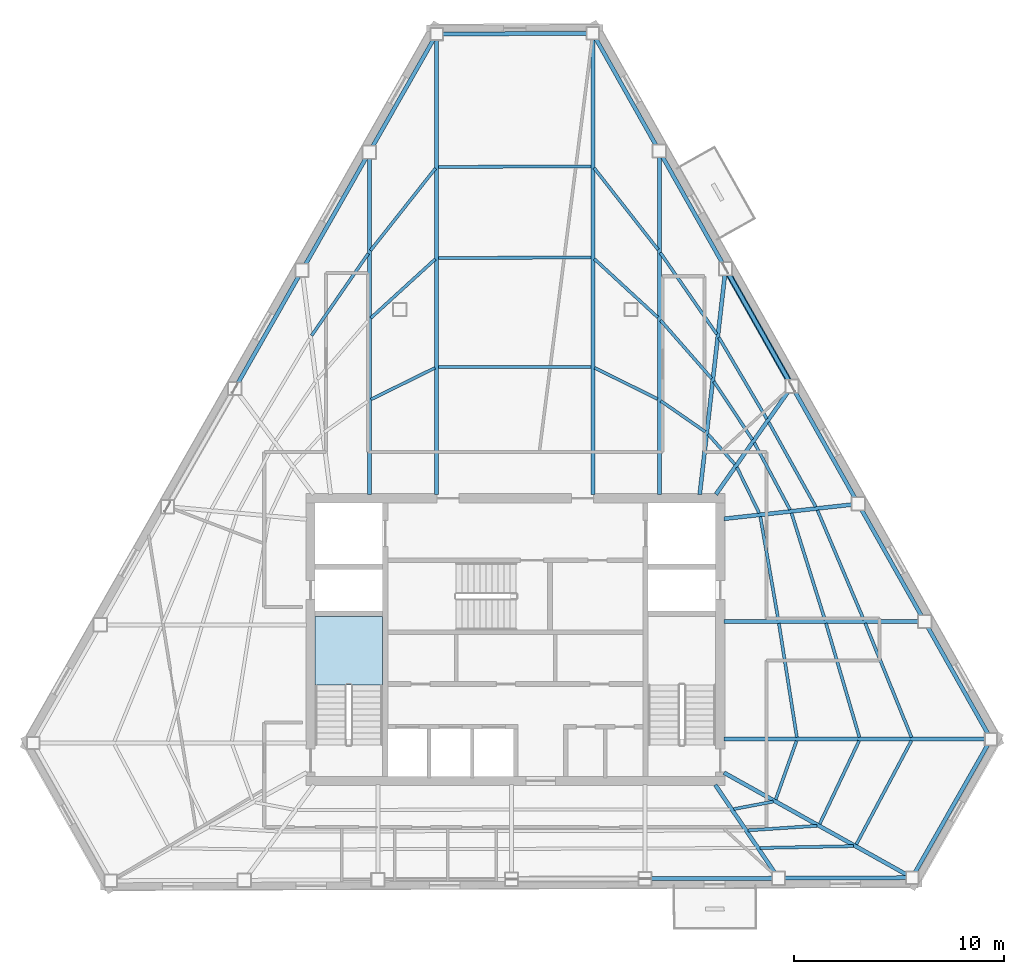
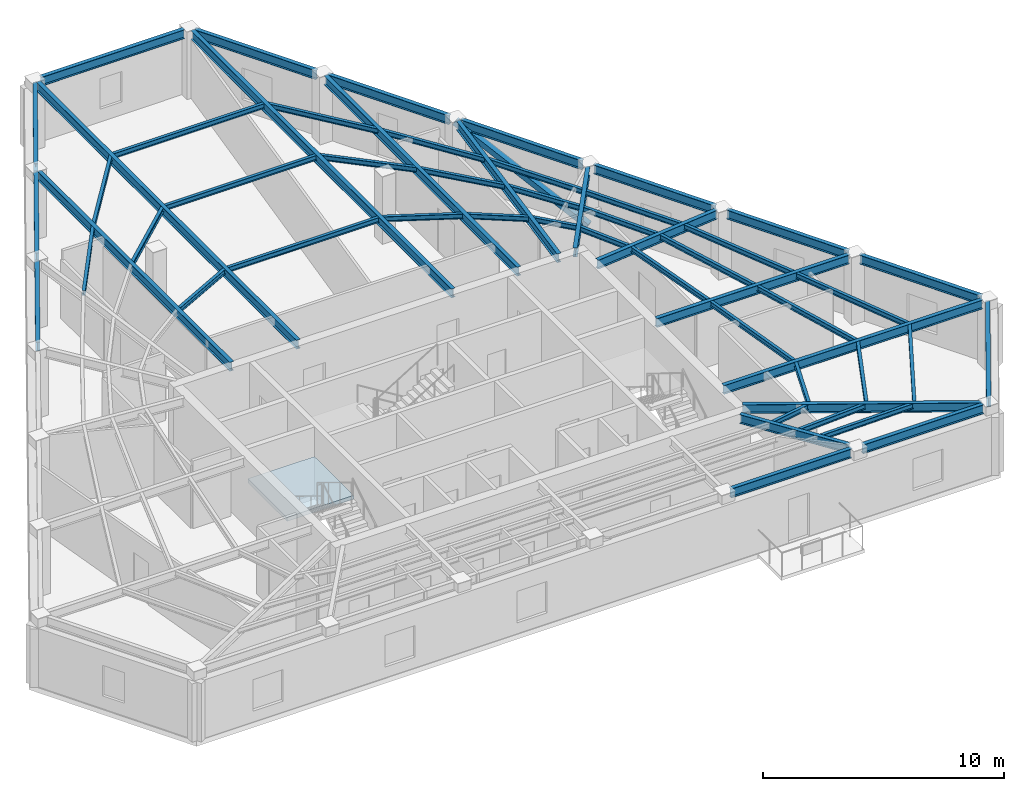
# One storey, part 2 of 10: 55 beams, 1 member, 1 slab, 1 element without a shape of its own.
"""IFC4 building model written with IfcOpenShell, lengths in metres."""

from ifc_helpers import new_model, si_unit, direction, frame, origin, origin_2d, place, context, subcontext, project, spatial, polyline, hollow_rectangle, i_section, outline, extrude, material, layer, layer_set, material_profile, profile_set, type_object, element, aggregate, save


model = new_model("IFC4")

# Units and contexts
model_context = context("Model", 3, precision=1e-05, world=origin(), true_north=direction((0.0, 1.0)))
body_context = subcontext(model_context, "Body", "Model", "MODEL_VIEW")
ifc_project = project(units=[si_unit("LENGTHUNIT", "METRE"), si_unit("AREAUNIT", "SQUARE_METRE"), si_unit("VOLUMEUNIT", "CUBIC_METRE"), si_unit("PLANEANGLEUNIT", "RADIAN"), si_unit("MASSUNIT", "GRAM", prefix="KILO")], contexts=[model_context])

# Site, building, storey
site_placement = place(None, origin())
site = spatial("IfcSite", under=ifc_project, at=site_placement, CompositionType="ELEMENT")
building_placement = place(site_placement, origin())
building = spatial("IfcBuilding", under=site, at=building_placement, Name="Kavelnor Concourse Tower", CompositionType="ELEMENT")
storey_placement = place(building_placement, frame((0.0, 0.0, 230.449951171875)))
storey = spatial("IfcBuildingStorey", under=building, at=storey_placement, Name="L58", CompositionType="ELEMENT", Elevation=230.449951171875)

# Beams
ifc_material_1 = material(Name="Steel Grade 350", Category="steel")
ifc_material_profile_1 = material_profile(ifc_material_1, i_section(OverallWidth=0.14599609375, OverallDepth=0.256103515625, WebThickness=0.00634765625, FlangeThickness=0.010986328125, at=origin_2d()), Name="250UB37")
ifc_profile_set_1 = profile_set([ifc_material_profile_1], Name="Steel Grade 350")
beam_type_1 = type_object("IfcBeamType", Name="BM-JOIST-250", PredefinedType="JOIST", material=ifc_profile_set_1)
beam_1_placement = place(storey_placement, frame((48.385986328125, 8.04150390625, 3.302001953125), z_axis=(0.982497790606, 0.186274237227, 0.0), x_axis=(-0.186274237227, 0.982497790606, 0.0)))
element("IfcBeam", 1, at=beam_1_placement, inside=storey, type_object=beam_type_1, Name="L58 Secondary Composite Joist 07-1", PredefinedType="JOIST", context=body_context, shape_type="SweptSolid", body=[
    extrude(i_section(OverallWidth=0.14599609375, OverallDepth=0.256103515625, WebThickness=0.00634765625, FlangeThickness=0.010986328125, at=origin_2d()), origin(), (0.0, 0.0, 1.0), 1.914794921875),
])
beam_2_placement = place(storey_placement, frame((49.06640625, 7.029296875, 3.302001953125), z_axis=(0.997825371402, 0.065913035022, 0.0), x_axis=(-0.065913035022, 0.997825371402, 0.0)))
element("IfcBeam", 2, at=beam_2_placement, inside=storey, type_object=beam_type_1, Name="L58 Secondary Composite Joist 07-2", PredefinedType="JOIST", context=body_context, shape_type="SweptSolid", body=[
    extrude(i_section(OverallWidth=0.14599609375, OverallDepth=0.256103515625, WebThickness=0.00634765625, FlangeThickness=0.010986328125, at=origin_2d()), origin(), (0.0, 0.0, 1.0), 3.2890625),
])
beam_3_placement = place(storey_placement, frame((49.63232421875, 6.190673828125, 3.302001953125), z_axis=(0.999793049382, 0.020343510191, 0.0), x_axis=(-0.020343510191, 0.999793049382, 0.0)))
element("IfcBeam", 3, at=beam_3_placement, inside=storey, type_object=beam_type_1, Name="L58 Secondary Composite Joist 07-3", PredefinedType="JOIST", context=body_context, shape_type="SweptSolid", body=[
    extrude(i_section(OverallWidth=0.14599609375, OverallDepth=0.256103515625, WebThickness=0.00634765625, FlangeThickness=0.010986328125, at=origin_2d()), origin(), (0.0, 0.0, 1.0), 4.452392578125),
])
beam_4_placement = place(storey_placement, frame((50.384521484375, 8.49853515625, 3.302001953125), z_axis=(0.334353063542, 0.942447891875, 0.0), x_axis=(-0.942447891875, 0.334353063542, 0.0)))
element("IfcBeam", 4, at=beam_4_placement, inside=storey, type_object=beam_type_1, Name="L58 Secondary Composite Joist 08-1", PredefinedType="JOIST", context=body_context, shape_type="SweptSolid", body=[
    extrude(i_section(OverallWidth=0.14599609375, OverallDepth=0.256103515625, WebThickness=0.00634765625, FlangeThickness=0.010986328125, at=origin_2d()), origin(), (0.0, 0.0, 1.0), 2.95654296875),
])
beam_5_placement = place(storey_placement, frame((52.475341796875, 7.33251953125, 3.302001953125), z_axis=(0.428263743058, 0.903653786791, 0.0), x_axis=(-0.903653786791, 0.428263743058, 0.0)))
element("IfcBeam", 5, at=beam_5_placement, inside=storey, type_object=beam_type_1, Name="L58 Secondary Composite Joist 08-2", PredefinedType="JOIST", context=body_context, shape_type="SweptSolid", body=[
    extrude(i_section(OverallWidth=0.14599609375, OverallDepth=0.256103515625, WebThickness=0.00634765625, FlangeThickness=0.010986328125, at=origin_2d()), origin(), (0.0, 0.0, 1.0), 4.377685546875),
])
beam_6_placement = place(storey_placement, frame((54.214599609375, 6.361572265625, 3.302001953125), z_axis=(0.469330043458, 0.883022825474, 0.0), x_axis=(-0.883022825474, 0.469330043458, 0.0)))
element("IfcBeam", 6, at=beam_6_placement, inside=storey, type_object=beam_type_1, Name="L58 Secondary Composite Joist 08-3", PredefinedType="JOIST", context=body_context, shape_type="SweptSolid", body=[
    extrude(i_section(OverallWidth=0.14599609375, OverallDepth=0.256103515625, WebThickness=0.00634765625, FlangeThickness=0.010986328125, at=origin_2d()), origin(), (0.0, 0.0, 1.0), 5.58154296875),
])
beam_7_placement = place(storey_placement, frame((51.388916015625, 11.456787109375, 3.302001953125), z_axis=(-0.155983146929, 0.987759716669, 0.0), x_axis=(-0.987759716669, -0.155983146929, 0.0)))
element("IfcBeam", 7, at=beam_7_placement, inside=storey, type_object=beam_type_1, Name="L58 Secondary Composite Joist 09-1", PredefinedType="JOIST", context=body_context, shape_type="SweptSolid", body=[
    extrude(i_section(OverallWidth=0.14599609375, OverallDepth=0.256103515625, WebThickness=0.00634765625, FlangeThickness=0.010986328125, at=origin_2d()), origin(), (0.0, 0.0, 1.0), 5.484375),
])
beam_8_placement = place(storey_placement, frame((54.36328125, 11.4541015625, 3.302001953125), z_axis=(-0.281464551202, 0.959571626517, 0.0), x_axis=(-0.959571626517, -0.281464551202, 0.0)))
element("IfcBeam", 8, at=beam_8_placement, inside=storey, type_object=beam_type_1, Name="L58 Secondary Composite Joist 09-2", PredefinedType="JOIST", context=body_context, shape_type="SweptSolid", body=[
    extrude(i_section(OverallWidth=0.14599609375, OverallDepth=0.256103515625, WebThickness=0.00634765625, FlangeThickness=0.010986328125, at=origin_2d()), origin(), (0.0, 0.0, 1.0), 5.651123046875),
])
beam_9_placement = place(storey_placement, frame((56.842529296875, 11.451416015625, 3.302001953125), z_axis=(-0.376299918907, 0.926497906652, 0.0), x_axis=(-0.926497906652, -0.376299918907, 0.0)))
element("IfcBeam", 9, at=beam_9_placement, inside=storey, type_object=beam_type_1, Name="L58 Secondary Composite Joist 09-3", PredefinedType="JOIST", context=body_context, shape_type="SweptSolid", body=[
    extrude(i_section(OverallWidth=0.14599609375, OverallDepth=0.256103515625, WebThickness=0.00634765625, FlangeThickness=0.010986328125, at=origin_2d()), origin(), (0.0, 0.0, 1.0), 5.858642578125),
])
beam_10_placement = place(storey_placement, frame((50.50439453125, 17.0498046875, 3.302001953125), z_axis=(-0.171529759423, 0.98517893889, 0.0), x_axis=(-0.98517893889, -0.171529759423, 0.0)))
element("IfcBeam", 10, at=beam_10_placement, inside=storey, type_object=beam_type_1, Name="L58 Secondary Composite Joist 10-1", PredefinedType="JOIST", context=body_context, shape_type="SweptSolid", body=[
    extrude(i_section(OverallWidth=0.14599609375, OverallDepth=0.256103515625, WebThickness=0.00634765625, FlangeThickness=0.010986328125, at=origin_2d()), origin(), (0.0, 0.0, 1.0), 4.9716796875),
])
beam_11_placement = place(storey_placement, frame((52.72119140625, 17.046875, 3.302001953125), z_axis=(-0.298934617282, 0.954273595249, 0.0), x_axis=(-0.954273595249, -0.298934617282, 0.0)))
element("IfcBeam", 11, at=beam_11_placement, inside=storey, type_object=beam_type_1, Name="L58 Secondary Composite Joist 10-2", PredefinedType="JOIST", context=body_context, shape_type="SweptSolid", body=[
    extrude(i_section(OverallWidth=0.14599609375, OverallDepth=0.256103515625, WebThickness=0.00634765625, FlangeThickness=0.010986328125, at=origin_2d()), origin(), (0.0, 0.0, 1.0), 5.310302734375),
])
beam_12_placement = place(storey_placement, frame((54.56982421875, 17.0439453125, 3.302001953125), z_axis=(-0.389397772837, 0.921069690365, 0.0), x_axis=(-0.921069690365, -0.389397772837, 0.0)))
element("IfcBeam", 12, at=beam_12_placement, inside=storey, type_object=beam_type_1, Name="L58 Secondary Composite Joist 10-3", PredefinedType="JOIST", context=body_context, shape_type="SweptSolid", body=[
    extrude(i_section(OverallWidth=0.14599609375, OverallDepth=0.256103515625, WebThickness=0.00634765625, FlangeThickness=0.010986328125, at=origin_2d()), origin(), (0.0, 0.0, 1.0), 5.656005859375),
])
beam_13_placement = place(storey_placement, frame((49.597412109375, 22.115478515625, 3.302001953125), z_axis=(-0.437789685105, 0.899077411359, 0.0), x_axis=(-0.899077411359, -0.437789685105, 0.0)))
element("IfcBeam", 13, at=beam_13_placement, inside=storey, type_object=beam_type_1, Name="L58 Secondary Composite Joist 11-1", PredefinedType="JOIST", context=body_context, shape_type="SweptSolid", body=[
    extrude(i_section(OverallWidth=0.14599609375, OverallDepth=0.256103515625, WebThickness=0.00634765625, FlangeThickness=0.010986328125, at=origin_2d()), origin(), (0.0, 0.0, 1.0), 2.4208984375),
])
beam_14_placement = place(storey_placement, frame((51.065185546875, 22.277587890625, 3.302001953125), z_axis=(-0.471223156998, 0.882014022739, 0.0), x_axis=(-0.882014022739, -0.471223156998, 0.0)))
element("IfcBeam", 14, at=beam_14_placement, inside=storey, type_object=beam_type_1, Name="L58 Secondary Composite Joist 11-2", PredefinedType="JOIST", context=body_context, shape_type="SweptSolid", body=[
    extrude(i_section(OverallWidth=0.14599609375, OverallDepth=0.256103515625, WebThickness=0.00634765625, FlangeThickness=0.010986328125, at=origin_2d()), origin(), (0.0, 0.0, 1.0), 3.611572265625),
])
beam_15_placement = place(storey_placement, frame((52.28955078125, 22.4130859375, 3.302001953125), z_axis=(-0.486146827483, 0.873877143613, 0.0), x_axis=(-0.873877143613, -0.486146827483, 0.0)))
element("IfcBeam", 15, at=beam_15_placement, inside=storey, type_object=beam_type_1, Name="L58 Secondary Composite Joist 11-3", PredefinedType="JOIST", context=body_context, shape_type="SweptSolid", body=[
    extrude(i_section(OverallWidth=0.14599609375, OverallDepth=0.256103515625, WebThickness=0.00634765625, FlangeThickness=0.010986328125, at=origin_2d()), origin(), (0.0, 0.0, 1.0), 4.606689453125),
])
beam_16_placement = place(storey_placement, frame((48.439697265625, 24.4384765625, 3.302001953125), z_axis=(-0.665564982233, 0.746339905422, 0.0), x_axis=(-0.746339905422, -0.665564982233, 0.0)))
element("IfcBeam", 16, at=beam_16_placement, inside=storey, type_object=beam_type_1, Name="L58 Secondary Composite Joist 12-1", PredefinedType="JOIST", context=body_context, shape_type="SweptSolid", body=[
    extrude(i_section(OverallWidth=0.14599609375, OverallDepth=0.256103515625, WebThickness=0.00634765625, FlangeThickness=0.010986328125, at=origin_2d()), origin(), (0.0, 0.0, 1.0), 1.916259765625),
])
beam_17_placement = place(storey_placement, frame((49.272216796875, 25.615966796875, 3.302001953125), z_axis=(-0.552537738225, 0.833487881038, 0.0), x_axis=(-0.833487881038, -0.552537738225, 0.0)))
element("IfcBeam", 17, at=beam_17_placement, inside=storey, type_object=beam_type_1, Name="L58 Secondary Composite Joist 12-2", PredefinedType="JOIST", context=body_context, shape_type="SweptSolid", body=[
    extrude(i_section(OverallWidth=0.14599609375, OverallDepth=0.256103515625, WebThickness=0.00634765625, FlangeThickness=0.010986328125, at=origin_2d()), origin(), (0.0, 0.0, 1.0), 3.311767578125),
])
beam_18_placement = place(storey_placement, frame((49.96142578125, 26.593017578125, 3.302001953125), z_axis=(-0.507416097474, 0.861701168633, 0.0), x_axis=(-0.861701168633, -0.507416097474, 0.0)))
element("IfcBeam", 18, at=beam_18_placement, inside=storey, type_object=beam_type_1, Name="L58 Secondary Composite Joist 12-3", PredefinedType="JOIST", context=body_context, shape_type="SweptSolid", body=[
    extrude(i_section(OverallWidth=0.14599609375, OverallDepth=0.256103515625, WebThickness=0.00634765625, FlangeThickness=0.010986328125, at=origin_2d()), origin(), (0.0, 0.0, 1.0), 4.499267578125),
])
beam_19_placement = place(storey_placement, frame((47.031982421875, 25.985595703125, 3.302001953125), z_axis=(-0.822062325978, 0.569397516862, 0.0), x_axis=(-0.569397516862, -0.822062325978, 0.0)))
element("IfcBeam", 19, at=beam_19_placement, inside=storey, type_object=beam_type_1, Name="L58 Secondary Composite Joist 13-1", PredefinedType="JOIST", context=body_context, shape_type="SweptSolid", body=[
    extrude(i_section(OverallWidth=0.14599609375, OverallDepth=0.256103515625, WebThickness=0.00634765625, FlangeThickness=0.010986328125, at=origin_2d()), origin(), (0.0, 0.0, 1.0), 2.572265625),
])
beam_20_placement = place(storey_placement, frame((47.334716796875, 28.517333984375, 3.302001953125), z_axis=(-0.65909001644, 0.752064059924, 0.0), x_axis=(-0.752064059924, -0.65909001644, 0.0)))
element("IfcBeam", 20, at=beam_20_placement, inside=storey, type_object=beam_type_1, Name="L58 Secondary Composite Joist 13-2", PredefinedType="JOIST", context=body_context, shape_type="SweptSolid", body=[
    extrude(i_section(OverallWidth=0.14599609375, OverallDepth=0.256103515625, WebThickness=0.00634765625, FlangeThickness=0.010986328125, at=origin_2d()), origin(), (0.0, 0.0, 1.0), 3.689453125),
])
beam_21_placement = place(storey_placement, frame((47.582763671875, 30.619873046875, 3.302001953125), z_axis=(-0.569352502342, 0.822093503245, 0.0), x_axis=(-0.822093503245, -0.569352502342, 0.0)))
element("IfcBeam", 21, at=beam_21_placement, inside=storey, type_object=beam_type_1, Name="L58 Secondary Composite Joist 13-3", PredefinedType="JOIST", context=body_context, shape_type="SweptSolid", body=[
    extrude(i_section(OverallWidth=0.14599609375, OverallDepth=0.256103515625, WebThickness=0.00634765625, FlangeThickness=0.010986328125, at=origin_2d()), origin(), (0.0, 0.0, 1.0), 4.720703125),
])
beam_22_placement = place(storey_placement, frame((44.7646484375, 27.54052734375, 3.302001953125), z_axis=(-0.895693863489, 0.444671230134, 0.0), x_axis=(-0.444671230134, -0.895693863489, 0.0)))
element("IfcBeam", 22, at=beam_22_placement, inside=storey, type_object=beam_type_1, Name="L58 Secondary Composite Joist 14-1", PredefinedType="JOIST", context=body_context, shape_type="SweptSolid", body=[
    extrude(i_section(OverallWidth=0.14599609375, OverallDepth=0.256103515625, WebThickness=0.00634765625, FlangeThickness=0.010986328125, at=origin_2d()), origin(), (0.0, 0.0, 1.0), 3.34423828125),
])
beam_23_placement = place(storey_placement, frame((44.779052734375, 31.419189453125, 3.302001953125), z_axis=(-0.735251588496, 0.677794291518, 0.0), x_axis=(-0.677794291518, -0.735251588496, 0.0)))
element("IfcBeam", 23, at=beam_23_placement, inside=storey, type_object=beam_type_1, Name="L58 Secondary Composite Joist 14-2", PredefinedType="JOIST", context=body_context, shape_type="SweptSolid", body=[
    extrude(i_section(OverallWidth=0.14599609375, OverallDepth=0.256103515625, WebThickness=0.00634765625, FlangeThickness=0.010986328125, at=origin_2d()), origin(), (0.0, 0.0, 1.0), 4.113037109375),
])
beam_24_placement = place(storey_placement, frame((44.78955078125, 34.643798828125, 3.302001953125), z_axis=(-0.616685465935, 0.787209651938, 0.0), x_axis=(-0.787209651938, -0.616685465935, 0.0)))
element("IfcBeam", 24, at=beam_24_placement, inside=storey, type_object=beam_type_1, Name="L58 Secondary Composite Joist 14-3", PredefinedType="JOIST", context=body_context, shape_type="SweptSolid", body=[
    extrude(i_section(OverallWidth=0.14599609375, OverallDepth=0.256103515625, WebThickness=0.00634765625, FlangeThickness=0.010986328125, at=origin_2d()), origin(), (0.0, 0.0, 1.0), 4.93798828125),
])
for number, where, z_axis, x_axis, name in (
    (25, (41.6005859375, 29.06689453125, 3.302001953125), (-0.999999420225, -0.001076824089, 0.0), (0.001076824089, -0.999999420225, 0.0), "L58 Secondary Composite Joist 15-1"),
    (26, (41.6005859375, 34.26708984375, 3.302001953125), (-0.999997961732, -0.002019042222, 0.0), (0.002019042222, -0.999997961732, 0.0), "L58 Secondary Composite Joist 15-2"),
    (27, (41.6005859375, 38.6005859375, 3.302001953125), (-0.999996099559, -0.002793003206, 0.0), (0.002793003206, -0.999996099559, 0.0), "L58 Secondary Composite Joist 15-3"),
):
    element("IfcBeam", number, at=place(storey_placement, frame(where, z_axis=z_axis, x_axis=x_axis)), inside=storey, type_object=beam_type_1, Name=name, PredefinedType="JOIST", context=body_context, shape_type="SweptSolid", body=[
        extrude(i_section(OverallWidth=0.14599609375, OverallDepth=0.256103515625, WebThickness=0.00634765625, FlangeThickness=0.010986328125, at=origin_2d()), origin(), (0.0, 0.0, 1.0), 7.255126953125),
    ])
beam_25_placement = place(storey_placement, frame((34.176513671875, 29.01953125, 3.302001953125), z_axis=(-0.897334988592, -0.441350108473, 0.0), x_axis=(0.441350108473, -0.897334988592, 0.0)))
element("IfcBeam", 28, at=beam_25_placement, inside=storey, type_object=beam_type_1, Name="L58 Secondary Composite Joist 16-1", PredefinedType="JOIST", context=body_context, shape_type="SweptSolid", body=[
    extrude(i_section(OverallWidth=0.14599609375, OverallDepth=0.256103515625, WebThickness=0.00634765625, FlangeThickness=0.010986328125, at=origin_2d()), origin(), (0.0, 0.0, 1.0), 3.386474609375),
])
beam_26_placement = place(storey_placement, frame((34.190673828125, 34.192138671875, 3.302001953125), z_axis=(-0.738326431091, -0.674443534443, 0.0), x_axis=(0.674443534443, -0.738326431091, 0.0)))
element("IfcBeam", 29, at=beam_26_placement, inside=storey, type_object=beam_type_1, Name="L58 Secondary Composite Joist 16-2", PredefinedType="JOIST", context=body_context, shape_type="SweptSolid", body=[
    extrude(i_section(OverallWidth=0.14599609375, OverallDepth=0.256103515625, WebThickness=0.00634765625, FlangeThickness=0.010986328125, at=origin_2d()), origin(), (0.0, 0.0, 1.0), 4.154296875),
])
beam_27_placement = place(storey_placement, frame((34.201171875, 38.51025390625, 3.302001953125), z_axis=(-0.620170334711, -0.784467179648, 0.0), x_axis=(0.784467179648, -0.620170334711, 0.0)))
element("IfcBeam", 30, at=beam_27_placement, inside=storey, type_object=beam_type_1, Name="L58 Secondary Composite Joist 16-3", PredefinedType="JOIST", context=body_context, shape_type="SweptSolid", body=[
    extrude(i_section(OverallWidth=0.14599609375, OverallDepth=0.256103515625, WebThickness=0.00634765625, FlangeThickness=0.010986328125, at=origin_2d()), origin(), (0.0, 0.0, 1.0), 4.9794921875),
])
beam_28_placement = place(storey_placement, frame((31.007080078125, 34.4609375, 3.302001953125), z_axis=(-0.56839002748, -0.822759245868, 0.0), x_axis=(0.822759245868, -0.56839002748, 0.0)))
element("IfcBeam", 31, at=beam_28_placement, inside=storey, type_object=beam_type_1, Name="L58 Secondary Composite Joist 17-3", PredefinedType="JOIST", context=body_context, shape_type="SweptSolid", body=[
    extrude(i_section(OverallWidth=0.14599609375, OverallDepth=0.256103515625, WebThickness=0.00634765625, FlangeThickness=0.010986328125, at=origin_2d()), origin(), (0.0, 0.0, 1.0), 4.739501953125),
])
ifc_material_profile_2 = material_profile(ifc_material_1, i_section(OverallWidth=0.18994140625, OverallDepth=0.4541015625, WebThickness=0.008544921875, FlangeThickness=0.0126953125, at=origin_2d()), Name="460UB67")
ifc_profile_set_2 = profile_set([ifc_material_profile_2], Name="Steel Grade 350")
beam_type_2 = type_object("IfcBeamType", Name="BM-PRIMARY-460", PredefinedType="BEAM", material=ifc_profile_set_2)
beam_29_placement = place(storey_placement, frame((34.25634765625, 23.0, 3.203125), z_axis=(0.0, 1.0, 0.0), x_axis=(-1.0, 0.0, 0.0)))
element("IfcBeam", 32, at=beam_29_placement, inside=storey, type_object=beam_type_2, Name="L58 Primary Floor Girder F0-B0", PredefinedType="BEAM", context=body_context, shape_type="SweptSolid", body=[
    extrude(i_section(OverallWidth=0.18994140625, OverallDepth=0.4541015625, WebThickness=0.008544921875, FlangeThickness=0.0126953125, at=origin_2d()), origin(), (0.0, 0.0, 1.0), 21.638916015625),
])
beam_30_placement = place(storey_placement, frame((31.057861328125, 23.0, 3.203125), z_axis=(0.0, 1.0, 0.0), x_axis=(-1.0, 0.0, 0.0)))
element("IfcBeam", 33, at=beam_30_placement, inside=storey, type_object=beam_type_2, Name="L58 Primary Floor Girder F0-B1", PredefinedType="BEAM", context=body_context, shape_type="SweptSolid", body=[
    extrude(i_section(OverallWidth=0.18994140625, OverallDepth=0.4541015625, WebThickness=0.008544921875, FlangeThickness=0.0126953125, at=origin_2d()), origin(), (0.0, 0.0, 1.0), 16.019775390625),
])
beam_31_placement = place(storey_placement, frame((47.506103515625, 9.193115234375, 3.203125), z_axis=(0.561253893472, -0.827643683636, 0.0), x_axis=(0.827643683636, 0.561253893472, 0.0)))
element("IfcBeam", 34, at=beam_31_placement, inside=storey, type_object=beam_type_2, Name="L58 Primary Floor Girder F1-B5", PredefinedType="BEAM", context=body_context, shape_type="SweptSolid", body=[
    extrude(i_section(OverallWidth=0.18994140625, OverallDepth=0.4541015625, WebThickness=0.008544921875, FlangeThickness=0.0126953125, at=origin_2d()), origin(), (0.0, 0.0, 1.0), 5.04150390625),
])
beam_32_placement = place(storey_placement, frame((47.925048828125, 9.771240234375, 3.203125), z_axis=(0.873128644757, -0.487489866258, 0.0), x_axis=(0.487489866258, 0.873128644757, 0.0)))
element("IfcBeam", 35, at=beam_32_placement, inside=storey, type_object=beam_type_2, Name="L58 Primary Floor Girder F1-B6", PredefinedType="BEAM", context=body_context, shape_type="SweptSolid", body=[
    extrude(i_section(OverallWidth=0.18994140625, OverallDepth=0.4541015625, WebThickness=0.008544921875, FlangeThickness=0.0126953125, at=origin_2d()), origin(), (0.0, 0.0, 1.0), 9.93798828125),
])
beam_33_placement = place(storey_placement, frame((47.919921875, 11.368896484375, 3.203125), z_axis=(1.0, 0.0, 0.0), x_axis=(0.0, 1.0, 0.0)))
element("IfcBeam", 36, at=beam_33_placement, inside=storey, type_object=beam_type_2, Name="L58 Primary Floor Girder F2-B0", PredefinedType="BEAM", context=body_context, shape_type="SweptSolid", body=[
    extrude(i_section(OverallWidth=0.18994140625, OverallDepth=0.4541015625, WebThickness=0.008544921875, FlangeThickness=0.0126953125, at=origin_2d()), origin(), (0.0, 0.0, 1.0), 12.43896484375),
])
beam_34_placement = place(storey_placement, frame((47.919921875, 16.9619140625, 3.203125), z_axis=(1.0, 0.0, 0.0), x_axis=(0.0, 1.0, 0.0)))
element("IfcBeam", 37, at=beam_34_placement, inside=storey, type_object=beam_type_2, Name="L58 Primary Floor Girder F2-B1", PredefinedType="BEAM", context=body_context, shape_type="SweptSolid", body=[
    extrude(i_section(OverallWidth=0.18994140625, OverallDepth=0.4541015625, WebThickness=0.008544921875, FlangeThickness=0.0126953125, at=origin_2d()), origin(), (0.0, 0.0, 1.0), 9.2841796875),
])
beam_35_placement = place(storey_placement, frame((47.920166015625, 21.844482421875, 3.203125), z_axis=(0.993867307673, 0.110579269025, 0.0), x_axis=(-0.110579269025, 0.993867307673, 0.0)))
element("IfcBeam", 38, at=beam_35_placement, inside=storey, type_object=beam_type_2, Name="L58 Primary Floor Girder F2-B2", PredefinedType="BEAM", context=body_context, shape_type="SweptSolid", body=[
    extrude(i_section(OverallWidth=0.18994140625, OverallDepth=0.4541015625, WebThickness=0.008544921875, FlangeThickness=0.0126953125, at=origin_2d()), origin(), (0.0, 0.0, 1.0), 6.16650390625),
])
beam_36_placement = place(storey_placement, frame((47.539306640625, 23.00732421875, 3.203125), z_axis=(0.575190890596, 0.818019216996, 0.0), x_axis=(-0.818019216996, 0.575190890596, 0.0)))
element("IfcBeam", 39, at=beam_36_placement, inside=storey, type_object=beam_type_2, Name="L58 Primary Floor Girder F2-B3", PredefinedType="BEAM", context=body_context, shape_type="SweptSolid", body=[
    extrude(i_section(OverallWidth=0.18994140625, OverallDepth=0.4541015625, WebThickness=0.008544921875, FlangeThickness=0.0126953125, at=origin_2d()), origin(), (0.0, 0.0, 1.0), 5.9580078125),
])
beam_37_placement = place(storey_placement, frame((46.768798828125, 23.000244140625, 3.203125), z_axis=(0.113814188207, 0.993502053628, 0.0), x_axis=(-0.993502053628, 0.113814188207, 0.0)))
element("IfcBeam", 40, at=beam_37_placement, inside=storey, type_object=beam_type_2, Name="L58 Primary Floor Girder F2-B4", PredefinedType="BEAM", context=body_context, shape_type="SweptSolid", body=[
    extrude(i_section(OverallWidth=0.18994140625, OverallDepth=0.4541015625, WebThickness=0.008544921875, FlangeThickness=0.0126953125, at=origin_2d()), origin(), (0.0, 0.0, 1.0), 10.549560546875),
])
beam_38_placement = place(storey_placement, frame((44.844482421875, 23.0, 3.203125), z_axis=(0.0, 1.0, 0.0), x_axis=(-1.0, 0.0, 0.0)))
element("IfcBeam", 41, at=beam_38_placement, inside=storey, type_object=beam_type_2, Name="L58 Primary Floor Girder F2-B5", PredefinedType="BEAM", context=body_context, shape_type="SweptSolid", body=[
    extrude(i_section(OverallWidth=0.18994140625, OverallDepth=0.4541015625, WebThickness=0.008544921875, FlangeThickness=0.0126953125, at=origin_2d()), origin(), (0.0, 0.0, 1.0), 16.07470703125),
])
beam_39_placement = place(storey_placement, frame((41.689453125, 23.0, 3.203125), z_axis=(0.0, 1.0, 0.0), x_axis=(-1.0, 0.0, 0.0)))
element("IfcBeam", 42, at=beam_39_placement, inside=storey, type_object=beam_type_2, Name="L58 Primary Floor Girder F2-B6", PredefinedType="BEAM", context=body_context, shape_type="SweptSolid", body=[
    extrude(i_section(OverallWidth=0.18994140625, OverallDepth=0.4541015625, WebThickness=0.008544921875, FlangeThickness=0.0126953125, at=origin_2d()), origin(), (0.0, 0.0, 1.0), 21.66796875),
])
ifc_material_profile_3 = material_profile(ifc_material_1, i_section(OverallWidth=0.19091796875, OverallDepth=0.4599609375, WebThickness=0.010009765625, FlangeThickness=0.01611328125, at=origin_2d()), Name="460UB82")
ifc_profile_set_3 = profile_set([ifc_material_profile_3], Name="Steel Grade 350")
beam_type_3 = type_object("IfcBeamType", Name="BM-SPANDREL-Z3", PredefinedType="SPANDREL", material=ifc_profile_set_3)
for number, where, z_axis, x_axis, name in (
    (43, (34.125244140625, 44.668701171875, 3.199951171875), (-0.494672099983, -0.86907969341, 0.0), (0.86907969341, -0.494672099983, 0.0), "L58 Perimeter Tube Spandrel Beam F0-B0"),
    (44, (30.9267578125, 39.049560546875, 3.199951171875), (-0.494672099983, -0.86907969341, 0.0), (0.86907969341, -0.494672099983, 0.0), "L58 Perimeter Tube Spandrel Beam F0-B1"),
):
    element("IfcBeam", number, at=place(storey_placement, frame(where, z_axis=z_axis, x_axis=x_axis)), inside=storey, type_object=beam_type_3, Name=name, PredefinedType="SPANDREL", context=body_context, shape_type="SweptSolid", body=[
        extrude(i_section(OverallWidth=0.19091796875, OverallDepth=0.4599609375, WebThickness=0.010009765625, FlangeThickness=0.01611328125, at=origin_2d()), origin(), (0.0, 0.0, 1.0), 5.935791015625),
    ])
beam_40_placement = place(storey_placement, frame((27.728271484375, 33.430419921875, 3.199951171875), z_axis=(-0.494703164604, -0.869062010981, 0.0), x_axis=(0.869062010981, -0.494703164604, 0.0)))
element("IfcBeam", 45, at=beam_40_placement, inside=storey, type_object=beam_type_3, Name="L58 Perimeter Tube Spandrel Beam F0-B2", PredefinedType="SPANDREL", context=body_context, shape_type="SweptSolid", body=[
    extrude(i_section(OverallWidth=0.19091796875, OverallDepth=0.4599609375, WebThickness=0.010009765625, FlangeThickness=0.01611328125, at=origin_2d()), origin(), (0.0, 0.0, 1.0), 5.93603515625),
])
beam_41_placement = place(storey_placement, frame((41.424560546875, 44.927001953125, 3.199951171875), z_axis=(-0.999992294413, -0.003925699193, 0.0), x_axis=(0.003925699193, -0.999992294413, 0.0)))
element("IfcBeam", 46, at=beam_41_placement, inside=storey, type_object=beam_type_3, Name="L58 Chamfer Facet Spandrel Beam C0", PredefinedType="SPANDREL", context=body_context, shape_type="SweptSolid", body=[
    extrude(i_section(OverallWidth=0.19091796875, OverallDepth=0.4599609375, WebThickness=0.010009765625, FlangeThickness=0.01611328125, at=origin_2d()), origin(), (0.0, 0.0, 1.0), 6.903076171875),
])
for number, where, z_axis, x_axis, name in (
    (47, (44.4306640625, 4.729736328125, 3.199951171875), (0.999992228607, 0.003942426267, 0.0), (-0.003942426267, 0.999992228607, 0.0), "L58 Perimeter Tube Spandrel Beam F1-B4"),
    (48, (50.781494140625, 4.754638671875, 3.199951171875), (0.999992228607, 0.003942426267, 0.0), (-0.003942426267, 0.999992228607, 0.0), "L58 Perimeter Tube Spandrel Beam F1-B5"),
):
    element("IfcBeam", number, at=place(storey_placement, frame(where, z_axis=z_axis, x_axis=x_axis)), inside=storey, type_object=beam_type_3, Name=name, PredefinedType="SPANDREL", context=body_context, shape_type="SweptSolid", body=[
        extrude(i_section(OverallWidth=0.19091796875, OverallDepth=0.4599609375, WebThickness=0.010009765625, FlangeThickness=0.01611328125, at=origin_2d()), origin(), (0.0, 0.0, 1.0), 5.821044921875),
    ])
for number, where, z_axis, x_axis, name in (
    (49, (60.48876953125, 11.599609375, 3.199951171875), (-0.491293781536, 0.870993926629, 0.0), (-0.870993926629, -0.491293781536, 0.0), "L58 Perimeter Tube Spandrel Beam F2-B0"),
    (50, (57.333740234375, 17.19287109375, 3.199951171875), (-0.491293781536, 0.870993926629, 0.0), (-0.870993926629, -0.491293781536, 0.0), "L58 Perimeter Tube Spandrel Beam F2-B1"),
    (51, (54.178955078125, 22.785888671875, 3.199951171875), (-0.491293781536, 0.870993926629, 0.0), (-0.870993926629, -0.491293781536, 0.0), "L58 Perimeter Tube Spandrel Beam F2-B2"),
    (52, (51.02392578125, 28.379150390625, 3.199951171875), (-0.491293781536, 0.870993926629, 0.0), (-0.870993926629, -0.491293781536, 0.0), "L58 Perimeter Tube Spandrel Beam F2-B3"),
    (53, (47.869140625, 33.972412109375, 3.199951171875), (-0.491293781536, 0.870993926629, 0.0), (-0.870993926629, -0.491293781536, 0.0), "L58 Perimeter Tube Spandrel Beam F2-B4"),
    (54, (44.714111328125, 39.565673828125, 3.199951171875), (-0.491293781536, 0.870993926629, 0.0), (-0.870993926629, -0.491293781536, 0.0), "L58 Perimeter Tube Spandrel Beam F2-B5"),
):
    element("IfcBeam", number, at=place(storey_placement, frame(where, z_axis=z_axis, x_axis=x_axis)), inside=storey, type_object=beam_type_3, Name=name, PredefinedType="SPANDREL", context=body_context, shape_type="SweptSolid", body=[
        extrude(i_section(OverallWidth=0.19091796875, OverallDepth=0.4599609375, WebThickness=0.010009765625, FlangeThickness=0.01611328125, at=origin_2d()), origin(), (0.0, 0.0, 1.0), 5.8916015625),
    ])
beam_42_placement = place(storey_placement, frame((56.99853515625, 5.0087890625, 3.199951171875), z_axis=(0.494706831804, 0.869059923461, 0.0), x_axis=(-0.869059923461, 0.494706831804, 0.0)))
element("IfcBeam", 55, at=beam_42_placement, inside=storey, type_object=beam_type_3, Name="L58 Chamfer Facet Spandrel Beam C2", PredefinedType="SPANDREL", context=body_context, shape_type="SweptSolid", body=[
    extrude(i_section(OverallWidth=0.19091796875, OverallDepth=0.4599609375, WebThickness=0.010009765625, FlangeThickness=0.01611328125, at=origin_2d()), origin(), (0.0, 0.0, 1.0), 7.05322265625),
])

# Member
ifc_material_profile_4 = material_profile(ifc_material_1, hollow_rectangle(XDim=0.280029296875, YDim=0.280029296875, WallThickness=0.01611328125, at=origin_2d()), Name="SHS 280x280x16")
ifc_profile_set_4 = profile_set([ifc_material_profile_4], Name="Steel Grade 350")
member_type = type_object("IfcMemberType", Name="MBR-TUBE-DIAG-Z3", PredefinedType="BRACE", material=ifc_profile_set_4)
member_placement = place(storey_placement, frame((51.154296875, 28.1484375, 0.219970703125), z_axis=(-0.445658191966, 0.790066484402, 0.420931973314), x_axis=(-0.870988062097, -0.491304178371, 0.0)))
element("IfcMember", 56, at=member_placement, inside=storey, type_object=member_type, Name="L58 Framed-Tube Bracing Diagonal F2-B3", PredefinedType="BRACE", context=body_context, shape_type="SweptSolid", body=[
    extrude(hollow_rectangle(XDim=0.280029296875, YDim=0.280029296875, WallThickness=0.01611328125, at=origin_2d()), origin(), (0.0, 0.0, 1.0), 7.07958984375),
])

# Stair, slab
ifc_material_2 = material(Name="Concrete C40/50", Category="concrete")
stair_type = type_object("IfcStairType", Name="STR-CORE-1500", PredefinedType="HALF_TURN_STAIR", material=ifc_material_2)
stair_placement = place(storey_placement, origin())
stair = element("IfcStair", 57, at=stair_placement, inside=storey, type_object=stair_type, Name="L58 ST1", PredefinedType="HALF_TURN_STAIR")
ifc_layer = layer(ifc_material_2, 0.199951171875, Name="Concrete C40/50")
ifc_layer_set = layer_set([ifc_layer], Name="Concrete C40/50")
slab_type = type_object("IfcSlabType", Name="SLB-LANDING-200", PredefinedType="LANDING", material=ifc_layer_set)
slab_placement = place(storey_placement, frame((0.0, 0.0, 1.72509765625)))
slab = element("IfcSlab", 58, at=slab_placement, type_object=slab_type, Name="ST1 landing 1", PredefinedType="LANDING", context=body_context, shape_type="SweptSolid", body=[
    extrude(outline(polyline([(31.679931640625, 13.949951171875), (31.679931640625, 17.199951171875), (28.47998046875, 17.199951171875), (28.47998046875, 13.949951171875), (31.679931640625, 13.949951171875)])), origin(), (0.0, 0.0, 1.0), 0.199951171875),
])
aggregate(stair, [slab])

save(model, "model.ifc")
